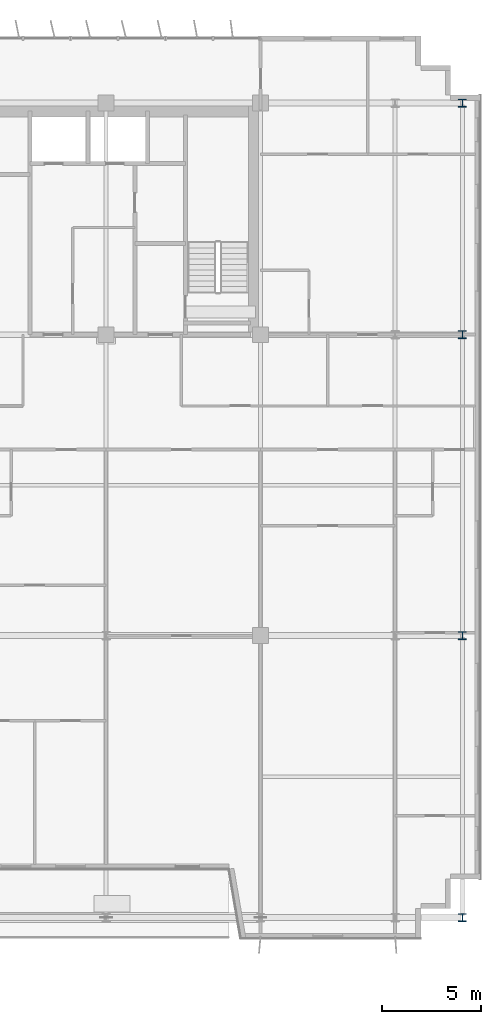
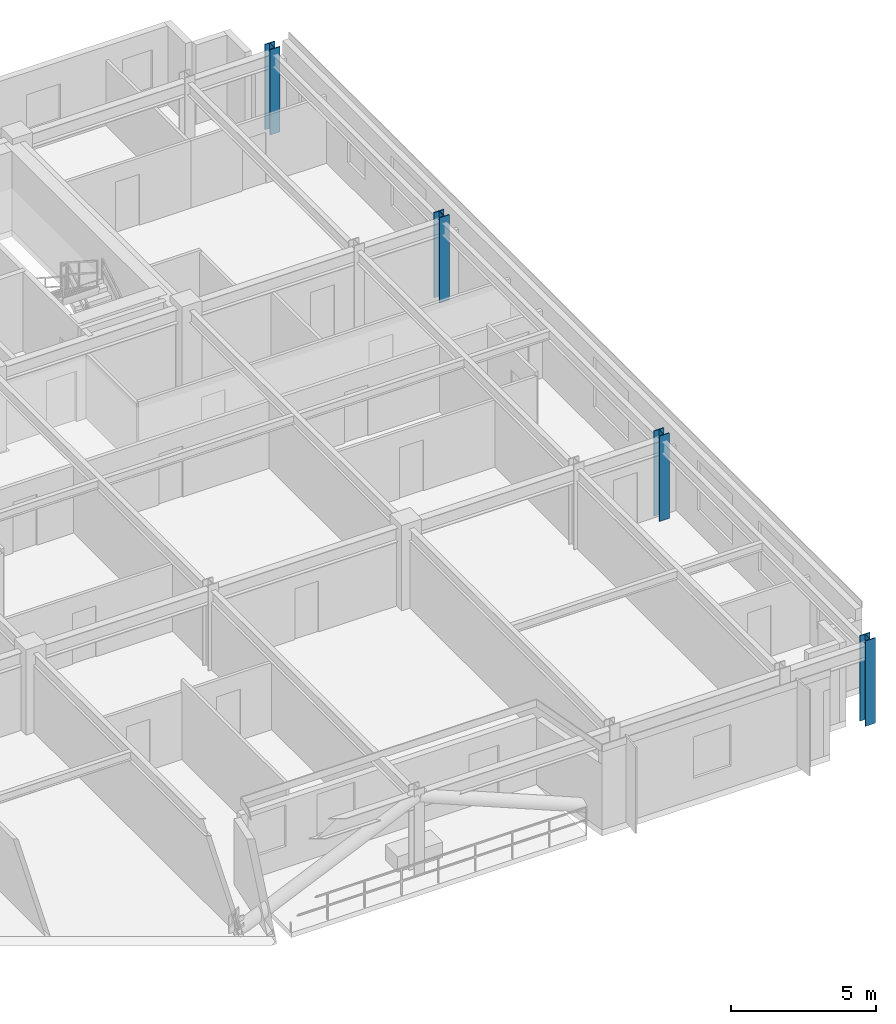
# One storey, part 3 of 22: 4 columns.
"""IFC4 building model written with IfcOpenShell, lengths in metres."""

import ifcopenshell
import ifcopenshell.guid

model = None  # the IFC model being written
_history = None  # IfcOwnerHistory: only IFC2X3 demands one
_inside = {}  # id of a spatial element -> (the spatial element, [elements in it])
_under = {}  # id of a project, library or spatial element -> (it, [spatial elements below it])
_declared = {}  # id of a project -> (the project, [libraries it declares])
_typed = {}  # id of a type object -> (the type object, [elements of that type])
_made_of = {}  # id of a material, layer set ... -> (it, [elements and type objects made of it])


def new_model(schema):
    """Start an empty IFC model of exactly this schema.

    Asked for "IFC4X3", IfcOpenShell would pick the latest addendum, in which some entities
    have other attributes; the version numbers below select the first issue.
    IFC2X3 requires an IfcOwnerHistory on every rooted entity: one is made here for all.
    """
    global model, _history
    if schema == "IFC4X3":
        model = ifcopenshell.file(schema_version=(4, 3, 0, 0))
    else:
        model = ifcopenshell.file(schema=schema)
    _inside.clear()
    _under.clear()
    _declared.clear()
    _typed.clear()
    _made_of.clear()
    _history = None
    if model.schema == "IFC2X3":
        org = make("IfcOrganization", Name="unknown")
        user = make(
            "IfcPersonAndOrganization",
            ThePerson=make("IfcPerson", FamilyName="unknown"),
            TheOrganization=org,
        )
        app = make(
            "IfcApplication",
            ApplicationDeveloper=org,
            Version="unknown",
            ApplicationFullName="unknown",
            ApplicationIdentifier="unknown",
        )
        _history = make(
            "IfcOwnerHistory",
            OwningUser=user,
            OwningApplication=app,
            ChangeAction="ADDED",
            CreationDate=0,
        )
    return model


def make(cls, **values):
    """One entity of the class cls with the attributes given. An attribute that is None is left unset."""
    return model.create_entity(
        cls, **{name: value for name, value in values.items() if value is not None}
    )


def rooted(cls, **values):
    """An entity with a GlobalId (a new one), such as an element, a storey or a relation."""
    return make(cls, GlobalId=ifcopenshell.guid.new(), OwnerHistory=_history, **values)


def si_unit(unit_type, name, prefix=None):
    """IfcSIUnit, for example si_unit("LENGTHUNIT", "METRE", prefix="MILLI")."""
    return make("IfcSIUnit", UnitType=unit_type, Prefix=prefix, Name=name)


def assignment(units):
    """IfcUnitAssignment: the units of a project."""
    return None if units is None else make("IfcUnitAssignment", Units=units)


def point(xyz):
    """IfcCartesianPoint."""
    return None if xyz is None else make("IfcCartesianPoint", Coordinates=xyz)


def direction(xyz):
    """IfcDirection."""
    return None if xyz is None else make("IfcDirection", DirectionRatios=xyz)


def frame(location, z_axis=None, x_axis=None):
    """IfcAxis2Placement3D, a coordinate frame: its origin and axes. An axis left out is left unset."""
    return make(
        "IfcAxis2Placement3D",
        Location=point(location),
        Axis=direction(z_axis),
        RefDirection=direction(x_axis),
    )


def frame_2d(location, x_axis=None):
    """IfcAxis2Placement2D, a coordinate frame in the plane: its origin and x axis."""
    return make(
        "IfcAxis2Placement2D", Location=point(location), RefDirection=direction(x_axis)
    )


def origin():
    """The frame at (0, 0, 0) with its axes left unset."""
    return frame((0.0, 0.0, 0.0))


def origin_2d():
    """The frame at (0, 0) in the plane with its x axis left unset."""
    return frame_2d((0.0, 0.0))


def place(relative_to, where):
    """IfcLocalPlacement: puts the frame where relative to a parent placement (None: the world)."""
    return make(
        "IfcLocalPlacement", PlacementRelTo=relative_to, RelativePlacement=where
    )


def context(
    kind, dimensions, precision=None, world=None, true_north=None, identifier=None
):
    """IfcGeometricRepresentationContext, for example the 3D "Model" context."""
    return make(
        "IfcGeometricRepresentationContext",
        ContextIdentifier=identifier,
        ContextType=kind,
        CoordinateSpaceDimension=dimensions,
        Precision=precision,
        WorldCoordinateSystem=world,
        TrueNorth=true_north,
    )


def subcontext(parent, identifier, kind, view, scale=None):
    """IfcGeometricRepresentationSubContext, for example "Body" below "Model"."""
    return make(
        "IfcGeometricRepresentationSubContext",
        ContextIdentifier=identifier,
        ContextType=kind,
        ParentContext=parent,
        TargetScale=scale,
        TargetView=view,
    )


def project(units=None, contexts=None):
    """IfcProject with its units and contexts."""
    return rooted(
        "IfcProject",
        Name="project",
        RepresentationContexts=contexts,
        UnitsInContext=assignment(units),
    )


def spatial(cls, under=None, at=None, **own):
    """A site, building, storey or space (cls), placed at a placement, below another one or the project."""
    s = rooted(cls, ObjectPlacement=at, **own)
    if under is not None:
        _under.setdefault(under.id(), (under, []))[1].append(s)
    return s


def profile(cls, at=None, kind="AREA", **sizes):
    """A parametric profile (cls). Its sizes go by their IFC names, for example OverallWidth=200.0."""
    return make(cls, ProfileType=kind, Position=at, **sizes)


def i_section(**sizes):
    """IfcIShapeProfileDef."""
    return profile("IfcIShapeProfileDef", **sizes)


def extrude(swept, where, along, depth):
    """IfcExtrudedAreaSolid: the profile swept, set in the frame where, extruded along a direction by depth."""
    return make(
        "IfcExtrudedAreaSolid",
        SweptArea=swept,
        Position=where,
        ExtrudedDirection=direction(along),
        Depth=depth,
    )


def shape(context_of_items, identifier, shape_type, items):
    """IfcShapeRepresentation: the items that make up one representation, for example the "Body"."""
    return make(
        "IfcShapeRepresentation",
        ContextOfItems=context_of_items,
        RepresentationIdentifier=identifier,
        RepresentationType=shape_type,
        Items=items,
    )


def source(mapping_origin, context_of_items, identifier, shape_type, items):
    """IfcRepresentationMap: a shape defined once, which mapped items show again and again."""
    return make(
        "IfcRepresentationMap",
        MappingOrigin=mapping_origin,
        MappedRepresentation=shape(context_of_items, identifier, shape_type, items),
    )


def transform(
    local_origin,
    x_axis=None,
    y_axis=None,
    z_axis=None,
    scale=None,
    scale2=None,
    scale3=None,
    uniform=True,
):
    """IfcCartesianTransformationOperator3D, or its non-uniform kind. x_axis, y_axis, z_axis: its Axis1, 2, 3."""
    if uniform:
        return make(
            "IfcCartesianTransformationOperator3D",
            Axis1=direction(x_axis),
            Axis2=direction(y_axis),
            LocalOrigin=point(local_origin),
            Scale=scale,
            Axis3=direction(z_axis),
        )
    return make(
        "IfcCartesianTransformationOperator3DnonUniform",
        Axis1=direction(x_axis),
        Axis2=direction(y_axis),
        LocalOrigin=point(local_origin),
        Scale=scale,
        Axis3=direction(z_axis),
        Scale2=scale2,
        Scale3=scale3,
    )


def mapped(mapping_source, mapping_target):
    """IfcMappedItem: shows the shape of a source again, moved by a transform."""
    return make(
        "IfcMappedItem", MappingSource=mapping_source, MappingTarget=mapping_target
    )


def material(Name=None, Category=None):
    """IfcMaterial."""
    return make("IfcMaterial", Name=Name, Category=Category)


def material_profile(
    of_material, cross_section, Name=None, Category=None, Priority=None
):
    """IfcMaterialProfile: a cross section and its material."""
    return make(
        "IfcMaterialProfile",
        Name=Name,
        Material=of_material,
        Profile=cross_section,
        Priority=Priority,
        Category=Category,
    )


def profile_set(profiles, Name=None, composite=None):
    """IfcMaterialProfileSet."""
    return make(
        "IfcMaterialProfileSet",
        Name=Name,
        MaterialProfiles=profiles,
        CompositeProfile=composite,
    )


def made_of(thing, what):
    """Note that an element or type object is made of a material, layer set ...; save() writes the relation."""
    if what is not None:
        _made_of.setdefault(what.id(), (what, []))[1].append(thing)
    return thing


def type_object(cls, material=None, **own):
    """A type object (cls), such as IfcWallType, which elements share."""
    return made_of(rooted(cls, **own), material)


def element(
    cls,
    number,
    at=None,
    inside=None,
    cuts=None,
    type_object=None,
    material=None,
    context=None,
    identifier="Body",
    shape_type=None,
    held_by="IfcProductDefinitionShape",
    body=None,
    shapes=None,
    **own,
):
    """One element of the class cls, such as IfcWall. Its Tag is "e" and its number.

    at: its placement. inside: the storey or other place that contains it. cuts: it is an
    opening in that element (IfcRelVoidsElement). A single representation is given by context,
    identifier, shape_type and body (its items); several are given by shapes. held_by: the class
    of the entity that holds the representations. save() writes the other relations.
    """
    e = rooted(cls, Tag="e%d" % number, ObjectPlacement=at, **own)
    if body is not None:
        shapes = [shape(context, identifier, shape_type, body)]
    if shapes is not None:
        e.Representation = make(held_by, Representations=shapes)
    if inside is not None:
        _inside.setdefault(inside.id(), (inside, []))[1].append(e)
    if cuts is not None:
        rooted(
            "IfcRelVoidsElement", RelatingBuildingElement=cuts, RelatedOpeningElement=e
        )
    if type_object is not None:
        _typed.setdefault(type_object.id(), (type_object, []))[1].append(e)
    return made_of(e, material)


def aggregate(whole, parts):
    """IfcRelAggregates: a whole, such as a stair, and the parts it consists of."""
    return rooted("IfcRelAggregates", RelatingObject=whole, RelatedObjects=parts)


def save(model, path):
    """Write the relations noted so far, then the file.

    IfcRelAggregates (storeys below a building ...), IfcRelContainedInSpatialStructure (elements
    in a storey), IfcRelDefinesByType, IfcRelAssociatesMaterial and IfcRelDeclares: one each for
    every whole, place, type object, material and project.
    """
    for whole, parts in _under.values():
        aggregate(whole, parts)
    for where, things in _inside.values():
        rooted(
            "IfcRelContainedInSpatialStructure",
            RelatedElements=things,
            RelatingStructure=where,
        )
    for kind, things in _typed.values():
        rooted("IfcRelDefinesByType", RelatedObjects=things, RelatingType=kind)
    for what, things in _made_of.values():
        rooted("IfcRelAssociatesMaterial", RelatedObjects=things, RelatingMaterial=what)
    for by, libraries in _declared.values():
        rooted("IfcRelDeclares", RelatingContext=by, RelatedDefinitions=libraries)
    model.write(path)


model = new_model("IFC4")

# Units and contexts
model_context = context("Model", 3, precision=1e-05, world=origin(), true_north=direction((0.0, 1.0)))
body_context = subcontext(model_context, "Body", "Model", "MODEL_VIEW")
ifc_project = project(units=[si_unit("LENGTHUNIT", "METRE"), si_unit("AREAUNIT", "SQUARE_METRE"), si_unit("VOLUMEUNIT", "CUBIC_METRE"), si_unit("PLANEANGLEUNIT", "RADIAN"), si_unit("MASSUNIT", "GRAM", prefix="KILO")], contexts=[model_context])

# Site, building, storey
site_placement = place(None, origin())
site = spatial("IfcSite", under=ifc_project, at=site_placement, CompositionType="ELEMENT")
building_placement = place(site_placement, origin())
building = spatial("IfcBuilding", under=site, at=building_placement, Name="Trelvane Seafront Commons", CompositionType="ELEMENT")
storey_placement = place(building_placement, frame((0.0, 0.0, 121.300048828125)))
storey = spatial("IfcBuildingStorey", under=building, at=storey_placement, Name="L31", CompositionType="ELEMENT", Elevation=121.300048828125)

# Columns
ifc_material = material(Name="Steel SM355 (S355)", Category="steel")
ifc_material_profile = material_profile(ifc_material, i_section(OverallWidth=0.39990234375, OverallDepth=0.39990234375, WebThickness=0.02197265625, FlangeThickness=0.034912109375, at=origin_2d()), Name="HD-400x400x22x35")
ifc_profile_set = profile_set([ifc_material_profile], Name="Steel SM355 (S355)")
column_type = type_object("IfcColumnType", Name="STR-COL-HD400", PredefinedType="COLUMN", material=ifc_profile_set)
shared_shape = source(origin(), body_context, "Body", "SweptSolid", [
    extrude(i_section(OverallWidth=0.39990234375, OverallDepth=0.39990234375, WebThickness=0.02197265625, FlangeThickness=0.034912109375, at=origin_2d()), origin(), (0.0, 0.0, 1.0), 3.599853515625),
])
for number, where, z_axis, x_axis, name in (
    (1, (69.0, 3.949951171875, 0.0), (0.0, 0.0, 1.0), (1.0, 0.0, 0.0), "L31 Column TC-S69.0"),
    (2, (69.0, 18.199951171875, 0.0), (0.0, 0.0, 1.0), (1.0, 0.0, 0.0), "L31 Column TC-M69.0"),
    (3, (69.0, 33.39990234375, 0.0), (0.0, 0.0, 1.0), (1.0, 0.0, 0.0), "L31 Column TC-CS69.0"),
    (4, (69.0, 45.10009765625, 0.0), (0.0, 0.0, 1.0), (1.0, 0.0, 0.0), "L31 Column TC-CN69.0"),
):
    element("IfcColumn", number, at=place(storey_placement, frame(where, z_axis=z_axis, x_axis=x_axis)), inside=storey, type_object=column_type, Name=name, PredefinedType="COLUMN", context=body_context, shape_type="MappedRepresentation", body=[
        mapped(shared_shape, transform((0.0, 0.0, 0.0), x_axis=(1.0, 0.0, 0.0), y_axis=(0.0, 1.0, 0.0), z_axis=(0.0, 0.0, 1.0), scale=1.0)),
    ])

save(model, "model.ifc")
